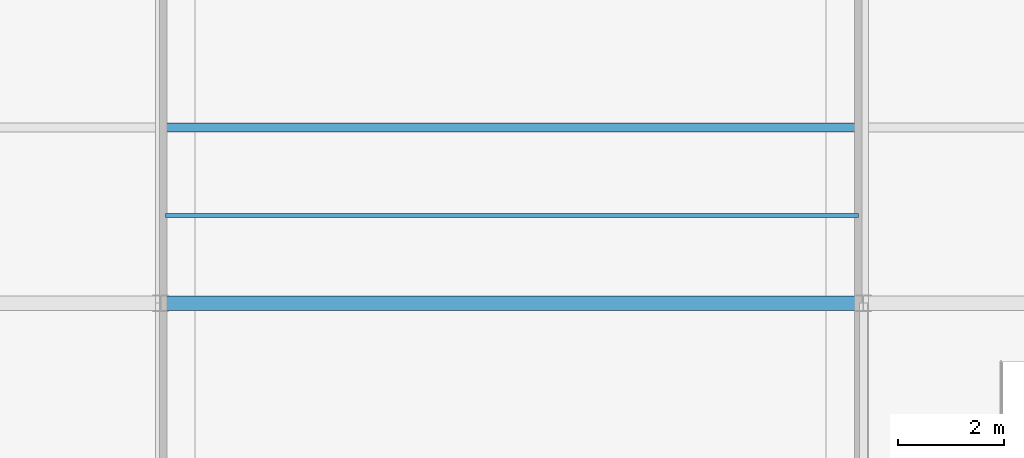
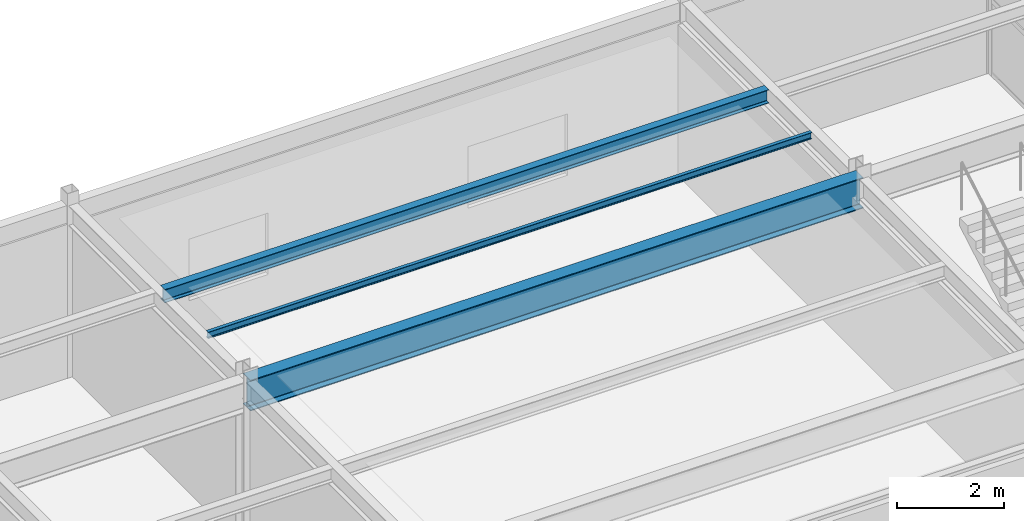
# One storey, part 68 of 148: 3 beams.
"""IFC4 building model written with IfcOpenShell, lengths in metres."""

from ifc_helpers import new_model, si_unit, direction, frame, origin, origin_2d, place, context, subcontext, project, spatial, i_section, extrude, material, material_profile, profile_set, type_object, element, save


model = new_model("IFC4")

# Units and contexts
model_context = context("Model", 3, precision=1e-05, world=origin(), true_north=direction((0.0, 1.0)))
body_context = subcontext(model_context, "Body", "Model", "MODEL_VIEW")
ifc_project = project(units=[si_unit("LENGTHUNIT", "METRE"), si_unit("AREAUNIT", "SQUARE_METRE"), si_unit("VOLUMEUNIT", "CUBIC_METRE"), si_unit("PLANEANGLEUNIT", "RADIAN"), si_unit("MASSUNIT", "GRAM", prefix="KILO")], contexts=[model_context])

# Site, building, storey
site_placement = place(None, origin())
site = spatial("IfcSite", under=ifc_project, at=site_placement, CompositionType="ELEMENT")
building_placement = place(site_placement, origin())
building = spatial("IfcBuilding", under=site, at=building_placement, Name="Karori Crest Natural Sciences Institute", CompositionType="ELEMENT")
storey_placement = place(building_placement, frame((0.0, 0.0, 4.89990234375)))
storey = spatial("IfcBuildingStorey", under=building, at=storey_placement, Name="L01", CompositionType="ELEMENT", Elevation=4.89990234375)

# Beams
ifc_material = material(Name="Structural steel AS/NZS 3679.1 Grade 350", Category="steel")
ifc_material_profile_1 = material_profile(ifc_material, i_section(OverallWidth=0.27490234375, OverallDepth=0.699951171875, WebThickness=0.010009765625, FlangeThickness=0.02001953125, FilletRadius=0.013916015625, at=origin_2d()), Name="700WB150")
ifc_profile_set_1 = profile_set([ifc_material_profile_1], Name="Structural steel AS/NZS 3679.1 Grade 350")
beam_type_1 = type_object("IfcBeamType", Name="BT-03", PredefinedType="BEAM", material=ifc_profile_set_1)
beam_1_placement = place(storey_placement, frame((7.39990234375, 66.800048828125, 3.570068359375), z_axis=(1.0, 0.0, 0.0), x_axis=(0.0, 1.0, 0.0)))
element("IfcBeam", 1, at=beam_1_placement, inside=storey, type_object=beam_type_1, Name="Beam B-1023", PredefinedType="BEAM", context=body_context, shape_type="SweptSolid", body=[
    extrude(i_section(OverallWidth=0.27490234375, OverallDepth=0.699951171875, WebThickness=0.010009765625, FlangeThickness=0.02001953125, FilletRadius=0.013916015625, at=origin_2d()), origin(), (0.0, 0.0, 1.0), 13.2001953125),
])
ifc_material_profile_2 = material_profile(ifc_material, i_section(OverallWidth=0.166015625, OverallDepth=0.306884765625, WebThickness=0.006591796875, FlangeThickness=0.01171875, FilletRadius=0.010986328125, at=origin_2d()), Name="310UB46.2")
ifc_profile_set_2 = profile_set([ifc_material_profile_2], Name="Structural steel AS/NZS 3679.1 Grade 350")
beam_type_2 = type_object("IfcBeamType", Name="BT-09", PredefinedType="BEAM", material=ifc_profile_set_2)
beam_2_placement = place(storey_placement, frame((7.49560546875, 70.10009765625, 3.7666015625), z_axis=(1.0, 0.0, 0.0), x_axis=(0.0, 1.0, 0.0)))
element("IfcBeam", 2, at=beam_2_placement, inside=storey, type_object=beam_type_2, Name="Beam B-1070", PredefinedType="BEAM", context=body_context, shape_type="SweptSolid", body=[
    extrude(i_section(OverallWidth=0.166015625, OverallDepth=0.306884765625, WebThickness=0.006591796875, FlangeThickness=0.01171875, FilletRadius=0.010986328125, at=origin_2d()), origin(), (0.0, 0.0, 1.0), 13.0087890625),
])
ifc_material_profile_3 = material_profile(ifc_material, i_section(OverallWidth=0.074951171875, OverallDepth=0.14990234375, WebThickness=0.0048828125, FlangeThickness=0.007080078125, FilletRadius=0.008056640625, at=origin_2d()), Name="150UB14.0")
ifc_profile_set_3 = profile_set([ifc_material_profile_3], Name="Structural steel AS/NZS 3679.1 Grade 350")
beam_type_3 = type_object("IfcBeamType", Name="BT-32", PredefinedType="LINTEL", material=ifc_profile_set_3)
beam_3_placement = place(storey_placement, frame((7.49560546875, 68.449951171875, 3.84521484375), z_axis=(1.0, 0.0, 0.0), x_axis=(0.0, 1.0, 0.0)))
element("IfcBeam", 3, at=beam_3_placement, inside=storey, type_object=beam_type_3, Name="Beam B-1071", PredefinedType="LINTEL", context=body_context, shape_type="SweptSolid", body=[
    extrude(i_section(OverallWidth=0.074951171875, OverallDepth=0.14990234375, WebThickness=0.0048828125, FlangeThickness=0.007080078125, FilletRadius=0.008056640625, at=origin_2d()), origin(), (0.0, 0.0, 1.0), 13.0087890625),
])

save(model, "model.ifc")
